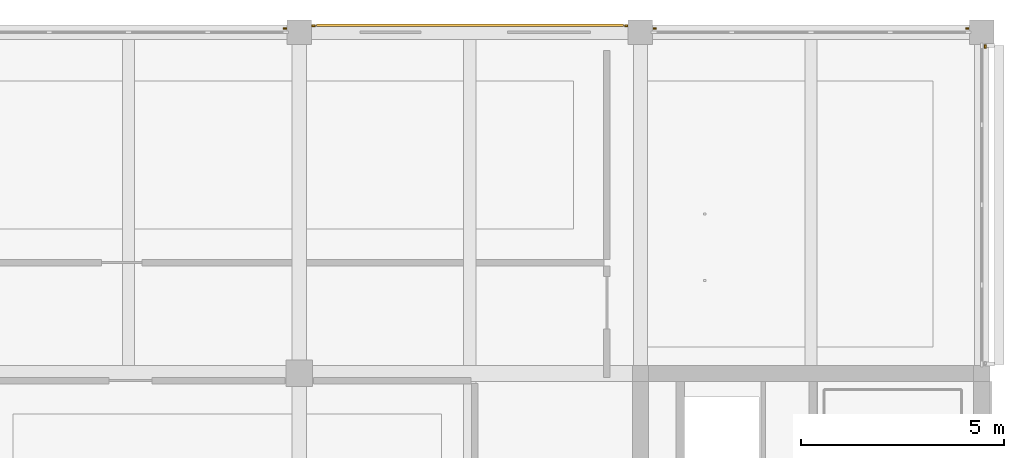
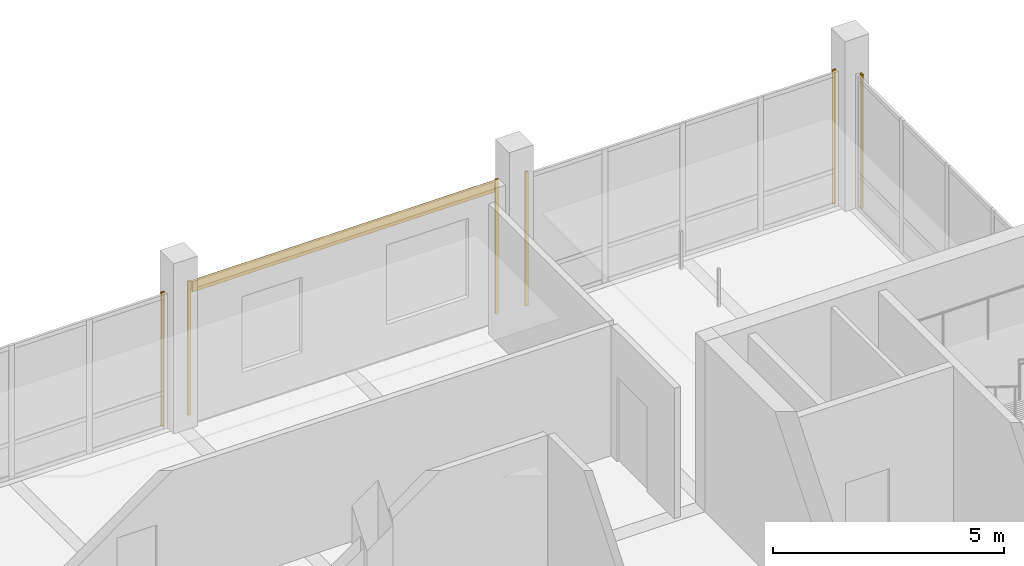
# One storey, part 29 of 29: 7 coverings.
"""IFC4 building model written with IfcOpenShell, lengths in metres."""

from ifc_helpers import new_model, si_unit, direction, frame, origin, origin_2d, place, context, subcontext, project, spatial, rectangle, extrude, material, layer, layer_set, type_object, element, save


model = new_model("IFC4")

# Units and contexts
model_context = context("Model", 3, precision=1e-05, world=origin(), true_north=direction((0.0, 1.0)))
body_context = subcontext(model_context, "Body", "Model", "MODEL_VIEW")
ifc_project = project(units=[si_unit("LENGTHUNIT", "METRE"), si_unit("AREAUNIT", "SQUARE_METRE"), si_unit("VOLUMEUNIT", "CUBIC_METRE"), si_unit("PLANEANGLEUNIT", "RADIAN"), si_unit("MASSUNIT", "GRAM", prefix="KILO")], contexts=[model_context])

# Site, building, storey
site_placement = place(None, origin())
site = spatial("IfcSite", under=ifc_project, at=site_placement, CompositionType="ELEMENT")
building_placement = place(site_placement, origin())
building = spatial("IfcBuilding", under=site, at=building_placement, Name="Telukmera Botanical Conservatory", CompositionType="ELEMENT")
storey_placement = place(building_placement, frame((0.0, 0.0, 55.5)))
storey = spatial("IfcBuildingStorey", under=building, at=storey_placement, Name="L12", CompositionType="ELEMENT", Elevation=55.5)

# Coverings
ifc_material_1 = material(Name="Granite-faced precast concrete C40/50", Category="masonry")
ifc_layer_1 = layer(ifc_material_1, 0.0400390625)
ifc_layer_set_1 = layer_set([ifc_layer_1], Name="Granite-faced precast concrete C40/50")
covering_type_1 = type_object("IfcCoveringType", Name="Granite Precast Column Pier Reveal Casing", PredefinedType="CLADDING", material=ifc_layer_set_1)
for number, where, z_axis, x_axis, name in (
    (1, (83.64794921875, 42.889892578125, 0.0), (0.0, 0.0, 1.0), (1.0, 0.0, 0.0), "Granite Pier Reveal V4:L12:N3 R"),
    (2, (84.35205078125, 42.9599609375, 0.0), (0.0, 0.0, 1.0), (1.0, 0.0, 0.0), "Granite Pier Reveal V4:L12:N4 L"),
    (3, (92.048095703125, 42.9599609375, 0.0), (0.0, 0.0, 1.0), (1.0, 0.0, 0.0), "Granite Pier Reveal V4:L12:N4 R"),
    (4, (92.751953125, 42.889892578125, 0.0), (0.0, 0.0, 1.0), (1.0, 0.0, 0.0), "Granite Pier Reveal V4:L12:N5 L"),
    (5, (100.447998046875, 42.889892578125, 0.0), (0.0, 0.0, 1.0), (1.0, 0.0, 0.0), "Granite Pier Reveal V4:L12:N5 R"),
    (6, (100.889892578125, 42.447998046875, 0.0), (0.0, 0.0, 1.0), (0.0, 1.0, 0.0), "Granite Pier Reveal V4:L12:E4 R"),
):
    element("IfcCovering", number, at=place(storey_placement, frame(where, z_axis=z_axis, x_axis=x_axis)), inside=storey, type_object=covering_type_1, Name=name, PredefinedType="CLADDING", context=body_context, shape_type="SweptSolid", body=[
        extrude(rectangle(XDim=0.080078125, YDim=0.0400390625, at=origin_2d()), origin(), (0.0, 0.0, 1.0), 3.550048828125),
    ])
ifc_material_2 = material(Name="Terracotta-faced precast concrete C40/50", Category="masonry")
ifc_layer_2 = layer(ifc_material_2, 0.06005859375)
ifc_layer_set_2 = layer_set([ifc_layer_2], Name="Terracotta-faced precast concrete C40/50")
covering_type_2 = type_object("IfcCoveringType", Name="Polychrome Terracotta Facade Band Cladding", PredefinedType="CLADDING", material=ifc_layer_set_2)
covering_placement = place(storey_placement, frame((88.199951171875, 42.969970703125, 3.22998046875), z_axis=(0.0, 0.0, 1.0), x_axis=(1.0, 0.0, 0.0)))
element("IfcCovering", 7, at=covering_placement, inside=storey, type_object=covering_type_2, Name="Polychrome Terracotta Band V4:L12:N4", PredefinedType="CLADDING", context=body_context, shape_type="SweptSolid", body=[
    extrude(rectangle(XDim=7.555908203125, YDim=0.06005859375, at=origin_2d()), origin(), (0.0, 0.0, 1.0), 0.280029296875),
])

save(model, "model.ifc")
